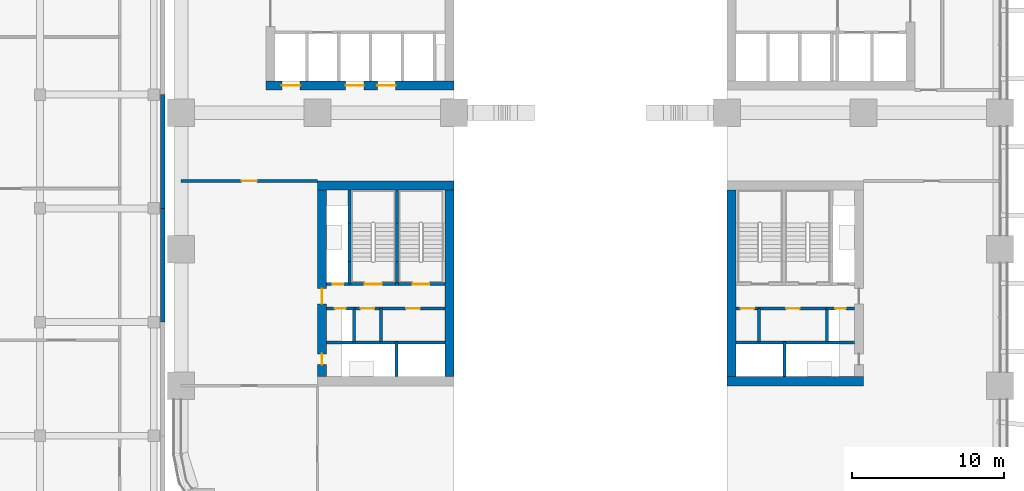
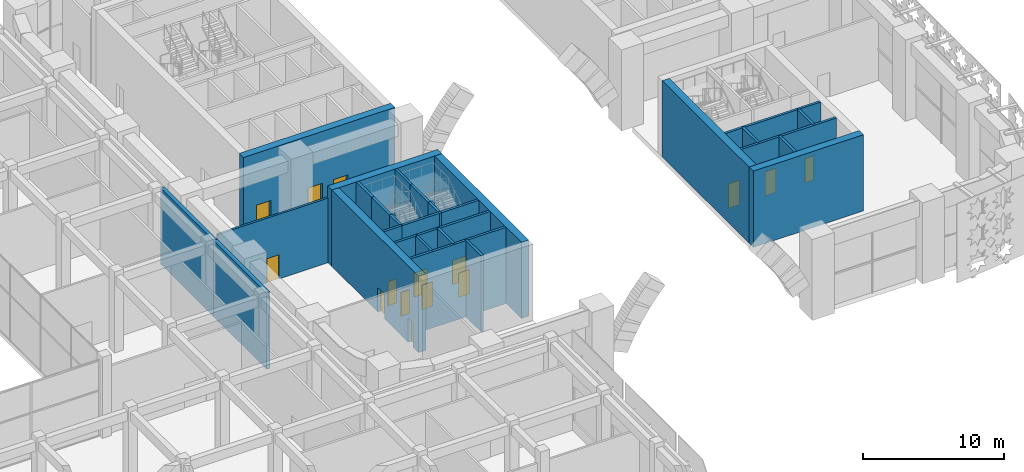
# One storey, part 18 of 42: 31 walls, 15 doors, 15 openings.
"""IFC4 building model written with IfcOpenShell, lengths in metres."""

from ifc_helpers import new_model, si_unit, direction, frame, frame_2d, origin, place, context, subcontext, project, spatial, rectangle, extrude, material, layer, layer_set, type_object, element, fill, save


model = new_model("IFC4")

# Units and contexts
model_context = context("Model", 3, precision=1e-05, world=origin(), true_north=direction((0.0, 1.0)))
body_context = subcontext(model_context, "Body", "Model", "MODEL_VIEW")
ifc_project = project(units=[si_unit("LENGTHUNIT", "METRE"), si_unit("AREAUNIT", "SQUARE_METRE"), si_unit("VOLUMEUNIT", "CUBIC_METRE"), si_unit("PLANEANGLEUNIT", "RADIAN"), si_unit("MASSUNIT", "GRAM", prefix="KILO")], contexts=[model_context])

# Site, building, storey
site_placement = place(None, origin())
site = spatial("IfcSite", under=ifc_project, at=site_placement, CompositionType="ELEMENT")
building_placement = place(site_placement, origin())
building = spatial("IfcBuilding", under=site, at=building_placement, Name="Tessera Arch", CompositionType="ELEMENT")
storey_placement = place(building_placement, frame((0.0, 0.0, 14.0)))
storey = spatial("IfcBuildingStorey", under=building, at=storey_placement, Name="L02", CompositionType="ELEMENT", Elevation=14.0)

# Wall
ifc_material_1 = material(Name="Gypsum board on steel stud", Category="steel")
ifc_layer_1 = layer(ifc_material_1, 0.125)
ifc_layer_set_1 = layer_set([ifc_layer_1], Name="Core partition 125 EI 60")
wall_type_1 = type_object("IfcWallType", Name="Core partition 125 EI 60", PredefinedType="PARTITIONING", material=ifc_layer_set_1)
wall_1_placement = place(storey_placement, frame((38.10009765625, 11.89990234375, 0.0), z_axis=(0.0, 0.0, 1.0), x_axis=(0.0, 1.0, 0.0)))
element("IfcWall", 1, at=wall_1_placement, inside=storey, type_object=wall_type_1, Name="L02 C3 partition wall 1", PredefinedType="PARTITIONING", context=body_context, shape_type="SweptSolid", body=[
    extrude(rectangle(XDim=2.2001953125, YDim=0.199951171875, at=frame_2d((1.10009765625, 0.0))), origin(), (0.0, 0.0, 1.0), 6.590087890625),
])

# Wall, openings, doors
wall_2_placement = place(storey_placement, frame((36.60009765625, 14.10009765625, 0.0), z_axis=(0.0, 0.0, 1.0), x_axis=(1.0, 0.0, 0.0)))
wall_2 = element("IfcWall", 2, at=wall_2_placement, inside=storey, type_object=wall_type_1, Name="L02 C3 partition wall 11", PredefinedType="PARTITIONING", context=body_context, shape_type="SweptSolid", body=[
    extrude(rectangle(XDim=6.0, YDim=0.199951171875, at=frame_2d((3.0, 0.0))), origin(), (0.0, 0.0, 1.0), 6.590087890625),
])
opening_1_placement = place(wall_2_placement, frame((0.300048828125, 0.0, 0.0)))
opening_1 = element("IfcOpeningElement", 3, at=opening_1_placement, cuts=wall_2, Name="Opening L02-C35", PredefinedType="OPENING", context=body_context, shape_type="SweptSolid", body=[
    extrude(rectangle(XDim=0.89990234375, YDim=2.10009765625, at=frame_2d((0.449951171875, 1.050048828125))), frame((0.0, 0.10986328125, 0.0), z_axis=(0.0, -1.0, 0.0), x_axis=(1.0, 0.0, 0.0)), (0.0, 0.0, 1.0), 0.219970703125),
])
opening_2_placement = place(wall_2_placement, frame((3.300048828125, 0.0, 0.0)))
opening_2 = element("IfcOpeningElement", 4, at=opening_2_placement, cuts=wall_2, Name="Opening L02-C36", PredefinedType="OPENING", context=body_context, shape_type="SweptSolid", body=[
    extrude(rectangle(XDim=0.89990234375, YDim=2.10009765625, at=frame_2d((0.449951171875, 1.050048828125))), frame((0.0, 0.10986328125, 0.0), z_axis=(0.0, -1.0, 0.0), x_axis=(1.0, 0.0, 0.0)), (0.0, 0.0, 1.0), 0.219970703125),
])
ifc_material_2 = material(Name="Steel door leaf", Category="steel")
door_type_1 = type_object("IfcDoorType", Name="Store door FD30S 900 x 2100", OperationType="SINGLE_SWING_LEFT", PredefinedType="DOOR", material=ifc_material_2)
door_1_placement = place(opening_1_placement, origin())
door_1 = element("IfcDoor", 5, at=door_1_placement, inside=storey, type_object=door_type_1, Name="L02 C3 door 7 C35 type D09", OperationType="SINGLE_SWING_LEFT", OverallHeight=2.10009765625, OverallWidth=0.89990234375, PredefinedType="DOOR", context=body_context, shape_type="SweptSolid", body=[
    extrude(rectangle(XDim=0.89990234375, YDim=2.10009765625, at=frame_2d((0.449951171875, 1.050048828125))), frame((0.0, 0.02490234375, 0.0), z_axis=(0.0, -1.0, 0.0), x_axis=(1.0, 0.0, 0.0)), (0.0, 0.0, 1.0), 0.050048828125),
])
fill(opening_1, door_1)
door_2_placement = place(opening_2_placement, origin())
door_2 = element("IfcDoor", 6, at=door_2_placement, inside=storey, type_object=door_type_1, Name="L02 C3 door 8 C36 type D09", OperationType="SINGLE_SWING_RIGHT", OverallHeight=2.10009765625, OverallWidth=0.89990234375, PredefinedType="DOOR", context=body_context, shape_type="SweptSolid", body=[
    extrude(rectangle(XDim=0.89990234375, YDim=2.10009765625, at=frame_2d((0.449951171875, 1.050048828125))), frame((0.0, 0.02490234375, 0.0), z_axis=(0.0, -1.0, 0.0), x_axis=(1.0, 0.0, 0.0)), (0.0, 0.0, 1.0), 0.050048828125),
])
fill(opening_2, door_2)

# Wall
wall_3_placement = place(storey_placement, frame((13.199951171875, 11.89990234375, 0.0), z_axis=(0.0, 0.0, 1.0), x_axis=(0.0, 1.0, 0.0)))
element("IfcWall", 7, at=wall_3_placement, inside=storey, type_object=wall_type_1, Name="L02 C4 partition wall 5", PredefinedType="PARTITIONING", context=body_context, shape_type="SweptSolid", body=[
    extrude(rectangle(XDim=2.2001953125, YDim=0.199951171875, at=frame_2d((1.10009765625, 0.0))), origin(), (0.0, 0.0, 1.0), 6.590087890625),
])

# Wall, openings, doors
wall_4_placement = place(storey_placement, frame((11.39990234375, 14.10009765625, 0.0), z_axis=(0.0, 0.0, 1.0), x_axis=(1.0, 0.0, 0.0)))
wall_4 = element("IfcWall", 8, at=wall_4_placement, inside=storey, type_object=wall_type_1, Name="L02 C4 partition wall 11", PredefinedType="PARTITIONING", context=body_context, shape_type="SweptSolid", body=[
    extrude(rectangle(XDim=6.0, YDim=0.199951171875, at=frame_2d((3.0, 0.0))), origin(), (0.0, 0.0, 1.0), 6.590087890625),
])
opening_3_placement = place(wall_4_placement, frame((0.449951171875, 0.0, 0.0)))
opening_3 = element("IfcOpeningElement", 9, at=opening_3_placement, cuts=wall_4, Name="Opening L02-C43", PredefinedType="OPENING", context=body_context, shape_type="SweptSolid", body=[
    extrude(rectangle(XDim=0.89990234375, YDim=2.10009765625, at=frame_2d((0.449951171875, 1.050048828125))), frame((0.0, 0.10986328125, 0.0), z_axis=(0.0, -1.0, 0.0), x_axis=(1.0, 0.0, 0.0)), (0.0, 0.0, 1.0), 0.219970703125),
])
opening_4_placement = place(wall_4_placement, frame((3.449951171875, 0.0, 0.0)))
opening_4 = element("IfcOpeningElement", 10, at=opening_4_placement, cuts=wall_4, Name="Opening L02-C44", PredefinedType="OPENING", context=body_context, shape_type="SweptSolid", body=[
    extrude(rectangle(XDim=0.89990234375, YDim=2.10009765625, at=frame_2d((0.449951171875, 1.050048828125))), frame((0.0, 0.10986328125, 0.0), z_axis=(0.0, -1.0, 0.0), x_axis=(1.0, 0.0, 0.0)), (0.0, 0.0, 1.0), 0.219970703125),
])
door_3_placement = place(opening_3_placement, origin())
door_3 = element("IfcDoor", 11, at=door_3_placement, inside=storey, type_object=door_type_1, Name="L02 C4 door 7 C43 type D09", OperationType="SINGLE_SWING_LEFT", OverallHeight=2.10009765625, OverallWidth=0.89990234375, PredefinedType="DOOR", context=body_context, shape_type="SweptSolid", body=[
    extrude(rectangle(XDim=0.89990234375, YDim=2.10009765625, at=frame_2d((0.449951171875, 1.050048828125))), frame((0.0, 0.02490234375, 0.0), z_axis=(0.0, -1.0, 0.0), x_axis=(1.0, 0.0, 0.0)), (0.0, 0.0, 1.0), 0.050048828125),
])
fill(opening_3, door_3)
door_4_placement = place(opening_4_placement, origin())
door_4 = element("IfcDoor", 12, at=door_4_placement, inside=storey, type_object=door_type_1, Name="L02 C4 door 8 C44 type D09", OperationType="SINGLE_SWING_RIGHT", OverallHeight=2.10009765625, OverallWidth=0.89990234375, PredefinedType="DOOR", context=body_context, shape_type="SweptSolid", body=[
    extrude(rectangle(XDim=0.89990234375, YDim=2.10009765625, at=frame_2d((0.449951171875, 1.050048828125))), frame((0.0, 0.02490234375, 0.0), z_axis=(0.0, -1.0, 0.0), x_axis=(1.0, 0.0, 0.0)), (0.0, 0.0, 1.0), 0.050048828125),
])
fill(opening_4, door_4)

ifc_material_3 = material(Name="Concrete C70/85", Category="concrete")
ifc_layer_2 = layer(ifc_material_3, 0.60009765625)
ifc_layer_set_2 = layer_set([ifc_layer_2], Name="Core shell wall 600 C70-85")
wall_type_2 = type_object("IfcWallType", Name="Core shell wall 600 C70-85", PredefinedType="SHEAR", material=ifc_layer_set_2)
wall_5_placement = place(storey_placement, frame((5.60009765625, 28.800048828125, 0.0), z_axis=(0.0, 0.0, 1.0), x_axis=(1.0, 0.0, 0.0)))
wall_5 = element("IfcWall", 13, at=wall_5_placement, inside=storey, type_object=wall_type_2, Name="L02 C2 core wall S", PredefinedType="SHEAR", context=body_context, shape_type="SweptSolid", body=[
    extrude(rectangle(XDim=12.39990234375, YDim=0.60009765625, at=frame_2d((6.199951171875, 0.0))), origin(), (0.0, 0.0, 1.0), 6.590087890625),
])
opening_5_placement = place(wall_5_placement, frame((1.050048828125, 0.0, 0.0)))
opening_5 = element("IfcOpeningElement", 14, at=opening_5_placement, cuts=wall_5, Name="Opening L02-C13", PredefinedType="OPENING", context=body_context, shape_type="SweptSolid", body=[
    extrude(rectangle(XDim=1.199951171875, YDim=2.10009765625, at=frame_2d((0.60009765625, 1.050048828125))), frame((0.0, 0.31005859375, 0.0), z_axis=(0.0, -1.0, 0.0), x_axis=(1.0, 0.0, 0.0)), (0.0, 0.0, 1.0), 0.6201171875),
])
opening_6_placement = place(wall_5_placement, frame((5.25, 0.0, 0.0)))
opening_6 = element("IfcOpeningElement", 15, at=opening_6_placement, cuts=wall_5, Name="Opening L02-C15", PredefinedType="OPENING", context=body_context, shape_type="SweptSolid", body=[
    extrude(rectangle(XDim=1.199951171875, YDim=2.10009765625, at=frame_2d((0.60009765625, 1.050048828125))), frame((0.0, 0.31005859375, 0.0), z_axis=(0.0, -1.0, 0.0), x_axis=(1.0, 0.0, 0.0)), (0.0, 0.0, 1.0), 0.6201171875),
])
opening_7_placement = place(wall_5_placement, frame((7.35009765625, 0.0, 0.0)))
opening_7 = element("IfcOpeningElement", 16, at=opening_7_placement, cuts=wall_5, Name="Opening L02-C16", PredefinedType="OPENING", context=body_context, shape_type="SweptSolid", body=[
    extrude(rectangle(XDim=1.199951171875, YDim=2.10009765625, at=frame_2d((0.60009765625, 1.050048828125))), frame((0.0, 0.31005859375, 0.0), z_axis=(0.0, -1.0, 0.0), x_axis=(1.0, 0.0, 0.0)), (0.0, 0.0, 1.0), 0.6201171875),
])
ifc_material_4 = material(Name="Stainless steel AISI 304", Category="steel")
door_type_2 = type_object("IfcDoorType", Name="Sliding landing door 1200 x 2100", OperationType="SLIDING_TO_LEFT", PredefinedType="DOOR", material=ifc_material_4)
door_5_placement = place(opening_5_placement, origin())
door_5 = element("IfcDoor", 17, at=door_5_placement, inside=storey, type_object=door_type_2, Name="L02 LR1 lift landing door C13 type LD", OperationType="SLIDING_TO_LEFT", OverallHeight=2.10009765625, OverallWidth=1.199951171875, PredefinedType="DOOR", context=body_context, shape_type="SweptSolid", body=[
    extrude(rectangle(XDim=1.199951171875, YDim=2.10009765625, at=frame_2d((0.60009765625, 1.050048828125))), frame((0.0, 0.02490234375, 0.0), z_axis=(0.0, -1.0, 0.0), x_axis=(1.0, 0.0, 0.0)), (0.0, 0.0, 1.0), 0.050048828125),
])
fill(opening_5, door_5)
door_6_placement = place(opening_6_placement, origin())
door_6 = element("IfcDoor", 18, at=door_6_placement, inside=storey, type_object=door_type_2, Name="L02 LR3 lift landing door C15 type LD", OperationType="SLIDING_TO_LEFT", OverallHeight=2.10009765625, OverallWidth=1.199951171875, PredefinedType="DOOR", context=body_context, shape_type="SweptSolid", body=[
    extrude(rectangle(XDim=1.199951171875, YDim=2.10009765625, at=frame_2d((0.60009765625, 1.050048828125))), frame((0.0, 0.02490234375, 0.0), z_axis=(0.0, -1.0, 0.0), x_axis=(1.0, 0.0, 0.0)), (0.0, 0.0, 1.0), 0.050048828125),
])
fill(opening_6, door_6)
door_7_placement = place(opening_7_placement, origin())
door_7 = element("IfcDoor", 19, at=door_7_placement, inside=storey, type_object=door_type_2, Name="L02 LR4 lift landing door C16 type LD", OperationType="SLIDING_TO_LEFT", OverallHeight=2.10009765625, OverallWidth=1.199951171875, PredefinedType="DOOR", context=body_context, shape_type="SweptSolid", body=[
    extrude(rectangle(XDim=1.199951171875, YDim=2.10009765625, at=frame_2d((0.60009765625, 1.050048828125))), frame((0.0, 0.02490234375, 0.0), z_axis=(0.0, -1.0, 0.0), x_axis=(1.0, 0.0, 0.0)), (0.0, 0.0, 1.0), 0.050048828125),
])
fill(opening_7, door_7)

# Walls
wall_6_placement = place(storey_placement, frame((36.0, 9.300048828125, 0.0), z_axis=(0.0, 0.0, 1.0), x_axis=(1.0, 0.0, 0.0)))
element("IfcWall", 20, at=wall_6_placement, inside=storey, type_object=wall_type_2, Name="L02 C3 core wall S", PredefinedType="SHEAR", context=body_context, shape_type="SweptSolid", body=[
    extrude(rectangle(XDim=9.0, YDim=0.60009765625, at=frame_2d((4.5, 0.0))), origin(), (0.0, 0.0, 1.0), 6.590087890625),
])
wall_7_placement = place(storey_placement, frame((36.300048828125, 9.60009765625, 0.0), z_axis=(0.0, 0.0, 1.0), x_axis=(0.0, 1.0, 0.0)))
element("IfcWall", 21, at=wall_7_placement, inside=storey, type_object=wall_type_2, Name="L02 C3 core wall W", PredefinedType="SHEAR", context=body_context, shape_type="SweptSolid", body=[
    extrude(rectangle(XDim=12.2998046875, YDim=0.60009765625, at=frame_2d((6.14990234375, 0.0))), origin(), (0.0, 0.0, 1.0), 6.590087890625),
])
wall_8_placement = place(storey_placement, frame((9.0, 22.199951171875, 0.0), z_axis=(0.0, 0.0, 1.0), x_axis=(1.0, 0.0, 0.0)))
element("IfcWall", 22, at=wall_8_placement, inside=storey, type_object=wall_type_2, Name="L02 C4 core wall N", PredefinedType="SHEAR", context=body_context, shape_type="SweptSolid", body=[
    extrude(rectangle(XDim=9.0, YDim=0.60009765625, at=frame_2d((4.5, 0.0))), origin(), (0.0, 0.0, 1.0), 6.590087890625),
])

# Wall, openings, doors
wall_9_placement = place(storey_placement, frame((9.300048828125, 9.60009765625, 0.0), z_axis=(0.0, 0.0, 1.0), x_axis=(0.0, 1.0, 0.0)))
wall_9 = element("IfcWall", 23, at=wall_9_placement, inside=storey, type_object=wall_type_2, Name="L02 C4 core wall W", PredefinedType="SHEAR", context=body_context, shape_type="SweptSolid", body=[
    extrude(rectangle(XDim=12.2998046875, YDim=0.60009765625, at=frame_2d((6.14990234375, 0.0))), origin(), (0.0, 0.0, 1.0), 6.590087890625),
])
opening_8_placement = place(wall_9_placement, frame((0.800048828125, 0.0, 0.0)))
opening_8 = element("IfcOpeningElement", 24, at=opening_8_placement, cuts=wall_9, Name="Opening L02-C41", PredefinedType="OPENING", context=body_context, shape_type="SweptSolid", body=[
    extrude(rectangle(XDim=0.699951171875, YDim=2.10009765625, at=frame_2d((0.35009765625, 1.050048828125))), frame((0.0, 0.31005859375, 0.0), z_axis=(0.0, -1.0, 0.0), x_axis=(1.0, 0.0, 0.0)), (0.0, 0.0, 1.0), 0.6201171875),
])
opening_9_placement = place(wall_9_placement, frame((4.800048828125, 0.0, 0.0)))
opening_9 = element("IfcOpeningElement", 25, at=opening_9_placement, cuts=wall_9, Name="Opening L02-C42", PredefinedType="OPENING", context=body_context, shape_type="SweptSolid", body=[
    extrude(rectangle(XDim=1.0, YDim=2.10009765625, at=frame_2d((0.5, 1.050048828125))), frame((0.0, 0.31005859375, 0.0), z_axis=(0.0, -1.0, 0.0), x_axis=(1.0, 0.0, 0.0)), (0.0, 0.0, 1.0), 0.6201171875),
])
ifc_material_5 = material(Name="Steel door leaf", Category="steel")
door_type_3 = type_object("IfcDoorType", Name="Corridor door FD60 1000 x 2100", OperationType="SINGLE_SWING_LEFT", PredefinedType="DOOR", material=ifc_material_5)
door_8_placement = place(opening_9_placement, origin())
door_8 = element("IfcDoor", 26, at=door_8_placement, inside=storey, type_object=door_type_3, Name="L02 C4 door 6 C42 type D12", OperationType="SINGLE_SWING_LEFT", OverallHeight=2.10009765625, OverallWidth=1.0, PredefinedType="DOOR", context=body_context, shape_type="SweptSolid", body=[
    extrude(rectangle(XDim=1.0, YDim=2.10009765625, at=frame_2d((0.5, 1.050048828125))), frame((0.0, 0.02490234375, 0.0), z_axis=(0.0, -1.0, 0.0), x_axis=(1.0, 0.0, 0.0)), (0.0, 0.0, 1.0), 0.050048828125),
])
fill(opening_9, door_8)
ifc_material_6 = material(Name="Steel door leaf", Category="steel")
door_type_4 = type_object("IfcDoorType", Name="Service shaft door FD60 700 x 2100", OperationType="SINGLE_SWING_LEFT", PredefinedType="DOOR", material=ifc_material_6)
door_9_placement = place(opening_8_placement, origin())
door_9 = element("IfcDoor", 27, at=door_9_placement, inside=storey, type_object=door_type_4, Name="L02 C4 door 5 C41 type D07", OperationType="SINGLE_SWING_LEFT", OverallHeight=2.10009765625, OverallWidth=0.699951171875, PredefinedType="DOOR", context=body_context, shape_type="SweptSolid", body=[
    extrude(rectangle(XDim=0.699951171875, YDim=2.10009765625, at=frame_2d((0.35009765625, 1.050048828125))), frame((0.0, 0.02490234375, 0.0), z_axis=(0.0, -1.0, 0.0), x_axis=(1.0, 0.0, 0.0)), (0.0, 0.0, 1.0), 0.050048828125),
])
fill(opening_8, door_9)

# Wall
wall_10_placement = place(storey_placement, frame((17.699951171875, 9.60009765625, 0.0), z_axis=(0.0, 0.0, 1.0), x_axis=(0.0, 1.0, 0.0)))
element("IfcWall", 28, at=wall_10_placement, inside=storey, type_object=wall_type_2, Name="L02 C4 core wall E", PredefinedType="SHEAR", context=body_context, shape_type="SweptSolid", body=[
    extrude(rectangle(XDim=12.2998046875, YDim=0.60009765625, at=frame_2d((6.14990234375, 0.0))), origin(), (0.0, 0.0, 1.0), 6.590087890625),
])

# Wall, opening, door
ifc_material_7 = material(Name="Gypsum board on deep steel stud with mineral wool", Category="steel")
ifc_layer_3 = layer(ifc_material_7, 0.175048828125)
ifc_layer_set_3 = layer_set([ifc_layer_3], Name="Corridor wall 175 EI 60")
wall_type_3 = type_object("IfcWallType", Name="Corridor wall 175 EI 60", PredefinedType="PARTITIONING", material=ifc_layer_set_3)
wall_11_placement = place(storey_placement, frame((0.0, 22.5, 0.0), z_axis=(0.0, 0.0, 1.0), x_axis=(1.0, 0.0, 0.0)))
wall_11 = element("IfcWall", 29, at=wall_11_placement, inside=storey, type_object=wall_type_3, Name="L02 partition 4", PredefinedType="PARTITIONING", context=body_context, shape_type="SweptSolid", body=[
    extrude(rectangle(XDim=9.0, YDim=0.175048828125, at=frame_2d((4.5, 0.0))), origin(), (0.0, 0.0, 1.0), 5.590087890625),
])
opening_10_placement = place(wall_11_placement, frame((4.0, 0.0, 0.0)))
opening_10 = element("IfcOpeningElement", 30, at=opening_10_placement, cuts=wall_11, Name="Opening L02-D017", PredefinedType="OPENING", context=body_context, shape_type="SweptSolid", body=[
    extrude(rectangle(XDim=1.0, YDim=2.10009765625, at=frame_2d((0.5, 1.050048828125))), frame((0.0, 0.097412109375, 0.0), z_axis=(0.0, -1.0, 0.0), x_axis=(1.0, 0.0, 0.0)), (0.0, 0.0, 1.0), 0.195068359375),
])
ifc_material_8 = material(Name="Fire-rated door leaf")
door_type_5 = type_object("IfcDoorType", Name="Entrance door FD30S 1000 x 2100", OperationType="SINGLE_SWING_LEFT", PredefinedType="DOOR", material=ifc_material_8)
door_10_placement = place(opening_10_placement, origin())
door_10 = element("IfcDoor", 31, at=door_10_placement, inside=storey, type_object=door_type_5, Name="L02 door D017 type D03", OperationType="SINGLE_SWING_LEFT", OverallHeight=2.10009765625, OverallWidth=1.0, PredefinedType="DOOR", context=body_context, shape_type="SweptSolid", body=[
    extrude(rectangle(XDim=1.0, YDim=2.10009765625, at=frame_2d((0.5, 1.050048828125))), frame((0.0, 0.02490234375, 0.0), z_axis=(0.0, -1.0, 0.0), x_axis=(1.0, 0.0, 0.0)), (0.0, 0.0, 1.0), 0.050048828125),
])
fill(opening_10, door_10)

# Walls
ifc_material_9 = material(Name="Concrete C40/50", Category="concrete")
ifc_layer_4 = layer(ifc_material_9, 0.300048828125)
ifc_layer_set_4 = layer_set([ifc_layer_4], Name="Museum fire wall")
wall_type_4 = type_object("IfcWallType", Name="Museum fire wall", PredefinedType="SOLIDWALL", material=ifc_layer_set_4)
for number, where, z_axis, x_axis, name in (
    (32, (-1.199951171875, 13.199951171875, 0.0), (0.0, 0.0, 1.0), (0.0, 1.0, 0.0), "Museum fire wall at the movement joint"),
    (33, (-1.199951171875, 20.699951171875, 0.0), (0.0, 0.0, 1.0), (0.0, 1.0, 0.0), "Museum fire wall at the movement joint"),
):
    element("IfcWall", number, at=place(storey_placement, frame(where, z_axis=z_axis, x_axis=x_axis)), inside=storey, type_object=wall_type_4, Name=name, PredefinedType="SOLIDWALL", context=body_context, shape_type="SweptSolid", body=[
        extrude(rectangle(XDim=7.5, YDim=0.300048828125, at=frame_2d((3.75, 0.0))), origin(), (0.0, 0.0, 1.0), 6.590087890625),
    ])
ifc_material_10 = material(Name="Concrete C40/50", Category="concrete")
ifc_layer_5 = layer(ifc_material_10, 0.199951171875)
ifc_layer_set_5 = layer_set([ifc_layer_5], Name="Shaft wall 200 EI 120")
wall_type_5 = type_object("IfcWallType", Name="Shaft wall 200 EI 120", PredefinedType="SOLIDWALL", material=ifc_layer_set_5)
wall_12_placement = place(storey_placement, frame((39.800048828125, 9.60009765625, 0.0), z_axis=(0.0, 0.0, 1.0), x_axis=(0.0, 1.0, 0.0)))
element("IfcWall", 34, at=wall_12_placement, inside=storey, type_object=wall_type_5, Name="L02 C3 shaft wall 5", PredefinedType="SOLIDWALL", context=body_context, shape_type="SweptSolid", body=[
    extrude(rectangle(XDim=2.2998046875, YDim=0.199951171875, at=frame_2d((1.14990234375, 0.0))), origin(), (0.0, 0.0, 1.0), 6.590087890625),
])
wall_13_placement = place(storey_placement, frame((42.60009765625, 11.89990234375, 0.0), z_axis=(0.0, 0.0, 1.0), x_axis=(0.0, 1.0, 0.0)))
element("IfcWall", 35, at=wall_13_placement, inside=storey, type_object=wall_type_5, Name="L02 C3 shaft wall 6", PredefinedType="SOLIDWALL", context=body_context, shape_type="SweptSolid", body=[
    extrude(rectangle(XDim=2.2001953125, YDim=0.199951171875, at=frame_2d((1.10009765625, 0.0))), origin(), (0.0, 0.0, 1.0), 6.590087890625),
])
wall_14_placement = place(storey_placement, frame((36.60009765625, 11.85009765625, 0.0), z_axis=(0.0, 0.0, 1.0), x_axis=(1.0, 0.0, 0.0)))
element("IfcWall", 36, at=wall_14_placement, inside=storey, type_object=wall_type_5, Name="L02 C3 shaft wall 10", PredefinedType="SOLIDWALL", context=body_context, shape_type="SweptSolid", body=[
    extrude(rectangle(XDim=7.7998046875, YDim=0.199951171875, at=frame_2d((3.89990234375, 0.0))), origin(), (0.0, 0.0, 1.0), 6.590087890625),
])

# Wall, opening, door
wall_15_placement = place(storey_placement, frame((42.60009765625, 14.10009765625, 0.0), z_axis=(0.0, 0.0, 1.0), x_axis=(1.0, 0.0, 0.0)))
wall_15 = element("IfcWall", 37, at=wall_15_placement, inside=storey, type_object=wall_type_5, Name="L02 C3 shaft wall 12", PredefinedType="SOLIDWALL", context=body_context, shape_type="SweptSolid", body=[
    extrude(rectangle(XDim=1.7998046875, YDim=0.199951171875, at=frame_2d((0.89990234375, 0.0))), origin(), (0.0, 0.0, 1.0), 6.590087890625),
])
opening_11_placement = place(wall_15_placement, frame((0.550048828125, 0.0, 0.0)))
opening_11 = element("IfcOpeningElement", 38, at=opening_11_placement, cuts=wall_15, Name="Opening L02-C32", PredefinedType="OPENING", context=body_context, shape_type="SweptSolid", body=[
    extrude(rectangle(XDim=0.699951171875, YDim=2.10009765625, at=frame_2d((0.35009765625, 1.050048828125))), frame((0.0, 0.10986328125, 0.0), z_axis=(0.0, -1.0, 0.0), x_axis=(1.0, 0.0, 0.0)), (0.0, 0.0, 1.0), 0.219970703125),
])
door_11_placement = place(opening_11_placement, origin())
door_11 = element("IfcDoor", 39, at=door_11_placement, inside=storey, type_object=door_type_4, Name="L02 C3 door 4 C32 type D07", OperationType="SINGLE_SWING_RIGHT", OverallHeight=2.10009765625, OverallWidth=0.699951171875, PredefinedType="DOOR", context=body_context, shape_type="SweptSolid", body=[
    extrude(rectangle(XDim=0.699951171875, YDim=2.10009765625, at=frame_2d((0.35009765625, 1.050048828125))), frame((0.0, 0.02490234375, 0.0), z_axis=(0.0, -1.0, 0.0), x_axis=(1.0, 0.0, 0.0)), (0.0, 0.0, 1.0), 0.050048828125),
])
fill(opening_11, door_11)

# Walls
wall_16_placement = place(storey_placement, frame((11.39990234375, 11.89990234375, 0.0), z_axis=(0.0, 0.0, 1.0), x_axis=(0.0, 1.0, 0.0)))
element("IfcWall", 40, at=wall_16_placement, inside=storey, type_object=wall_type_5, Name="L02 C4 shaft wall 4", PredefinedType="SOLIDWALL", context=body_context, shape_type="SweptSolid", body=[
    extrude(rectangle(XDim=2.2001953125, YDim=0.199951171875, at=frame_2d((1.10009765625, 0.0))), origin(), (0.0, 0.0, 1.0), 6.590087890625),
])
wall_17_placement = place(storey_placement, frame((14.199951171875, 9.60009765625, 0.0), z_axis=(0.0, 0.0, 1.0), x_axis=(0.0, 1.0, 0.0)))
element("IfcWall", 41, at=wall_17_placement, inside=storey, type_object=wall_type_5, Name="L02 C4 shaft wall 6", PredefinedType="SOLIDWALL", context=body_context, shape_type="SweptSolid", body=[
    extrude(rectangle(XDim=2.2998046875, YDim=0.199951171875, at=frame_2d((1.14990234375, 0.0))), origin(), (0.0, 0.0, 1.0), 6.590087890625),
])
wall_18_placement = place(storey_placement, frame((9.60009765625, 11.85009765625, 0.0), z_axis=(0.0, 0.0, 1.0), x_axis=(1.0, 0.0, 0.0)))
element("IfcWall", 42, at=wall_18_placement, inside=storey, type_object=wall_type_5, Name="L02 C4 shaft wall 10", PredefinedType="SOLIDWALL", context=body_context, shape_type="SweptSolid", body=[
    extrude(rectangle(XDim=7.7998046875, YDim=0.199951171875, at=frame_2d((3.89990234375, 0.0))), origin(), (0.0, 0.0, 1.0), 6.590087890625),
])

# Wall, opening, door
wall_19_placement = place(storey_placement, frame((9.60009765625, 14.10009765625, 0.0), z_axis=(0.0, 0.0, 1.0), x_axis=(1.0, 0.0, 0.0)))
wall_19 = element("IfcWall", 43, at=wall_19_placement, inside=storey, type_object=wall_type_5, Name="L02 C4 shaft wall 12", PredefinedType="SOLIDWALL", context=body_context, shape_type="SweptSolid", body=[
    extrude(rectangle(XDim=1.7998046875, YDim=0.199951171875, at=frame_2d((0.89990234375, 0.0))), origin(), (0.0, 0.0, 1.0), 6.590087890625),
])
opening_12_placement = place(wall_19_placement, frame((0.550048828125, 0.0, 0.0)))
opening_12 = element("IfcOpeningElement", 44, at=opening_12_placement, cuts=wall_19, Name="Opening L02-C40", PredefinedType="OPENING", context=body_context, shape_type="SweptSolid", body=[
    extrude(rectangle(XDim=0.699951171875, YDim=2.10009765625, at=frame_2d((0.35009765625, 1.050048828125))), frame((0.0, 0.10986328125, 0.0), z_axis=(0.0, -1.0, 0.0), x_axis=(1.0, 0.0, 0.0)), (0.0, 0.0, 1.0), 0.219970703125),
])
door_12_placement = place(opening_12_placement, origin())
door_12 = element("IfcDoor", 45, at=door_12_placement, inside=storey, type_object=door_type_4, Name="L02 C4 door 4 C40 type D07", OperationType="SINGLE_SWING_LEFT", OverallHeight=2.10009765625, OverallWidth=0.699951171875, PredefinedType="DOOR", context=body_context, shape_type="SweptSolid", body=[
    extrude(rectangle(XDim=0.699951171875, YDim=2.10009765625, at=frame_2d((0.35009765625, 1.050048828125))), frame((0.0, 0.02490234375, 0.0), z_axis=(0.0, -1.0, 0.0), x_axis=(1.0, 0.0, 0.0)), (0.0, 0.0, 1.0), 0.050048828125),
])
fill(opening_12, door_12)

wall_20_placement = place(storey_placement, frame((9.60009765625, 15.699951171875, 0.0), z_axis=(0.0, 0.0, 1.0), x_axis=(1.0, 0.0, 0.0)))
wall_20 = element("IfcWall", 46, at=wall_20_placement, inside=storey, type_object=wall_type_5, Name="L02 C4 shaft wall 13", PredefinedType="SOLIDWALL", context=body_context, shape_type="SweptSolid", body=[
    extrude(rectangle(XDim=1.5, YDim=0.199951171875, at=frame_2d((0.75, 0.0))), origin(), (0.0, 0.0, 1.0), 6.590087890625),
])
opening_13_placement = place(wall_20_placement, frame((0.39990234375, 0.0, 0.0)))
opening_13 = element("IfcOpeningElement", 47, at=opening_13_placement, cuts=wall_20, Name="Opening L02-C39", PredefinedType="OPENING", context=body_context, shape_type="SweptSolid", body=[
    extrude(rectangle(XDim=0.699951171875, YDim=2.10009765625, at=frame_2d((0.35009765625, 1.050048828125))), frame((0.0, 0.10986328125, 0.0), z_axis=(0.0, -1.0, 0.0), x_axis=(1.0, 0.0, 0.0)), (0.0, 0.0, 1.0), 0.219970703125),
])
door_13_placement = place(opening_13_placement, origin())
door_13 = element("IfcDoor", 48, at=door_13_placement, inside=storey, type_object=door_type_4, Name="L02 C4 door 3 C39 type D07", OperationType="SINGLE_SWING_LEFT", OverallHeight=2.10009765625, OverallWidth=0.699951171875, PredefinedType="DOOR", context=body_context, shape_type="SweptSolid", body=[
    extrude(rectangle(XDim=0.699951171875, YDim=2.10009765625, at=frame_2d((0.35009765625, 1.050048828125))), frame((0.0, 0.02490234375, 0.0), z_axis=(0.0, -1.0, 0.0), x_axis=(1.0, 0.0, 0.0)), (0.0, 0.0, 1.0), 0.050048828125),
])
fill(opening_13, door_13)

# Walls
ifc_material_11 = material(Name="Concrete C40/50", Category="concrete")
ifc_layer_6 = layer(ifc_material_11, 0.199951171875)
ifc_layer_set_6 = layer_set([ifc_layer_6], Name="Stair well wall 200 REI 180")
wall_type_6 = type_object("IfcWallType", Name="Stair well wall 200 REI 180", PredefinedType="SOLIDWALL", material=ifc_layer_set_6)
wall_21_placement = place(storey_placement, frame((11.10009765625, 15.699951171875, 0.0), z_axis=(0.0, 0.0, 1.0), x_axis=(0.0, 1.0, 0.0)))
element("IfcWall", 49, at=wall_21_placement, inside=storey, type_object=wall_type_6, Name="L02 C4 shaft wall 1", PredefinedType="SOLIDWALL", context=body_context, shape_type="SweptSolid", body=[
    extrude(rectangle(XDim=1.5, YDim=0.199951171875, at=frame_2d((0.75, 0.0))), origin(), (0.0, 0.0, 1.0), 6.590087890625),
])
wall_22_placement = place(storey_placement, frame((11.10009765625, 17.199951171875, 0.0), z_axis=(0.0, 0.0, 1.0), x_axis=(0.0, 1.0, 0.0)))
element("IfcWall", 50, at=wall_22_placement, inside=storey, type_object=wall_type_6, Name="L02 C4 shaft wall 2", PredefinedType="SOLIDWALL", context=body_context, shape_type="SweptSolid", body=[
    extrude(rectangle(XDim=2.52001953125, YDim=0.199951171875, at=frame_2d((1.260009765625, 0.0))), origin(), (0.0, 0.0, 1.0), 6.590087890625),
])
wall_23_placement = place(storey_placement, frame((11.10009765625, 19.719970703125, 0.0), z_axis=(0.0, 0.0, 1.0), x_axis=(0.0, 1.0, 0.0)))
element("IfcWall", 51, at=wall_23_placement, inside=storey, type_object=wall_type_6, Name="L02 C4 shaft wall 3", PredefinedType="SOLIDWALL", context=body_context, shape_type="SweptSolid", body=[
    extrude(rectangle(XDim=2.179931640625, YDim=0.199951171875, at=frame_2d((1.08984375, 0.0))), origin(), (0.0, 0.0, 1.0), 6.590087890625),
])
wall_24_placement = place(storey_placement, frame((14.25, 15.699951171875, 0.0), z_axis=(0.0, 0.0, 1.0), x_axis=(0.0, 1.0, 0.0)))
element("IfcWall", 52, at=wall_24_placement, inside=storey, type_object=wall_type_6, Name="L02 C4 shaft wall 7", PredefinedType="SOLIDWALL", context=body_context, shape_type="SweptSolid", body=[
    extrude(rectangle(XDim=1.5, YDim=0.199951171875, at=frame_2d((0.75, 0.0))), origin(), (0.0, 0.0, 1.0), 6.590087890625),
])
wall_25_placement = place(storey_placement, frame((14.25, 17.199951171875, 0.0), z_axis=(0.0, 0.0, 1.0), x_axis=(0.0, 1.0, 0.0)))
element("IfcWall", 53, at=wall_25_placement, inside=storey, type_object=wall_type_6, Name="L02 C4 shaft wall 8", PredefinedType="SOLIDWALL", context=body_context, shape_type="SweptSolid", body=[
    extrude(rectangle(XDim=2.52001953125, YDim=0.199951171875, at=frame_2d((1.260009765625, 0.0))), origin(), (0.0, 0.0, 1.0), 6.590087890625),
])
wall_26_placement = place(storey_placement, frame((14.25, 19.719970703125, 0.0), z_axis=(0.0, 0.0, 1.0), x_axis=(0.0, 1.0, 0.0)))
element("IfcWall", 54, at=wall_26_placement, inside=storey, type_object=wall_type_6, Name="L02 C4 shaft wall 9", PredefinedType="SOLIDWALL", context=body_context, shape_type="SweptSolid", body=[
    extrude(rectangle(XDim=2.179931640625, YDim=0.199951171875, at=frame_2d((1.08984375, 0.0))), origin(), (0.0, 0.0, 1.0), 6.590087890625),
])

# Wall, opening, door
wall_27_placement = place(storey_placement, frame((11.10009765625, 15.699951171875, 0.0), z_axis=(0.0, 0.0, 1.0), x_axis=(1.0, 0.0, 0.0)))
wall_27 = element("IfcWall", 55, at=wall_27_placement, inside=storey, type_object=wall_type_6, Name="L02 C4 shaft wall 14", PredefinedType="SOLIDWALL", context=body_context, shape_type="SweptSolid", body=[
    extrude(rectangle(XDim=3.0498046875, YDim=0.199951171875, at=frame_2d((1.52490234375, 0.0))), origin(), (0.0, 0.0, 1.0), 6.590087890625),
])
opening_14_placement = place(wall_27_placement, frame((1.02490234375, 0.0, 0.0)))
opening_14 = element("IfcOpeningElement", 56, at=opening_14_placement, cuts=wall_27, Name="Opening L02-C38", PredefinedType="OPENING", context=body_context, shape_type="SweptSolid", body=[
    extrude(rectangle(XDim=1.10009765625, YDim=2.10009765625, at=frame_2d((0.550048828125, 1.050048828125))), frame((0.0, 0.10986328125, 0.0), z_axis=(0.0, -1.0, 0.0), x_axis=(1.0, 0.0, 0.0)), (0.0, 0.0, 1.0), 0.219970703125),
])
ifc_material_12 = material(Name="Steel door leaf", Category="steel")
door_type_6 = type_object("IfcDoorType", Name="Stair door FD60 1100 x 2100", OperationType="SINGLE_SWING_LEFT", PredefinedType="DOOR", material=ifc_material_12)
door_14_placement = place(opening_14_placement, origin())
door_14 = element("IfcDoor", 57, at=door_14_placement, inside=storey, type_object=door_type_6, Name="L02 C4 door 2 C38 type D05", OperationType="SINGLE_SWING_RIGHT", OverallHeight=2.10009765625, OverallWidth=1.10009765625, PredefinedType="DOOR", context=body_context, shape_type="SweptSolid", body=[
    extrude(rectangle(XDim=1.10009765625, YDim=2.10009765625, at=frame_2d((0.550048828125, 1.050048828125))), frame((0.0, 0.02490234375, 0.0), z_axis=(0.0, -1.0, 0.0), x_axis=(1.0, 0.0, 0.0)), (0.0, 0.0, 1.0), 0.050048828125),
])
fill(opening_14, door_14)

# Wall
wall_28_placement = place(storey_placement, frame((14.14990234375, 15.699951171875, 0.0), z_axis=(0.0, 0.0, 1.0), x_axis=(1.0, 0.0, 0.0)))
element("IfcWall", 58, at=wall_28_placement, inside=storey, type_object=wall_type_6, Name="L02 C4 shaft wall 15", PredefinedType="SOLIDWALL", context=body_context, shape_type="SweptSolid", body=[
    extrude(rectangle(XDim=0.2001953125, YDim=0.199951171875, at=frame_2d((0.10009765625, 0.0))), origin(), (0.0, 0.0, 1.0), 6.590087890625),
])

# Wall, opening, door
wall_29_placement = place(storey_placement, frame((14.35009765625, 15.699951171875, 0.0), z_axis=(0.0, 0.0, 1.0), x_axis=(1.0, 0.0, 0.0)))
wall_29 = element("IfcWall", 59, at=wall_29_placement, inside=storey, type_object=wall_type_6, Name="L02 C4 shaft wall 16", PredefinedType="SOLIDWALL", context=body_context, shape_type="SweptSolid", body=[
    extrude(rectangle(XDim=3.0498046875, YDim=0.199951171875, at=frame_2d((1.52490234375, 0.0))), origin(), (0.0, 0.0, 1.0), 6.590087890625),
])
opening_15_placement = place(wall_29_placement, frame((0.925048828125, 0.0, 0.0)))
opening_15 = element("IfcOpeningElement", 60, at=opening_15_placement, cuts=wall_29, Name="Opening L02-C37", PredefinedType="OPENING", context=body_context, shape_type="SweptSolid", body=[
    extrude(rectangle(XDim=1.10009765625, YDim=2.10009765625, at=frame_2d((0.550048828125, 1.050048828125))), frame((0.0, 0.10986328125, 0.0), z_axis=(0.0, -1.0, 0.0), x_axis=(1.0, 0.0, 0.0)), (0.0, 0.0, 1.0), 0.219970703125),
])
door_15_placement = place(opening_15_placement, origin())
door_15 = element("IfcDoor", 61, at=door_15_placement, inside=storey, type_object=door_type_6, Name="L02 C4 door 1 C37 type D05", OperationType="SINGLE_SWING_LEFT", OverallHeight=2.10009765625, OverallWidth=1.10009765625, PredefinedType="DOOR", context=body_context, shape_type="SweptSolid", body=[
    extrude(rectangle(XDim=1.10009765625, YDim=2.10009765625, at=frame_2d((0.550048828125, 1.050048828125))), frame((0.0, 0.02490234375, 0.0), z_axis=(0.0, -1.0, 0.0), x_axis=(1.0, 0.0, 0.0)), (0.0, 0.0, 1.0), 0.050048828125),
])
fill(opening_15, door_15)

save(model, "model.ifc")
